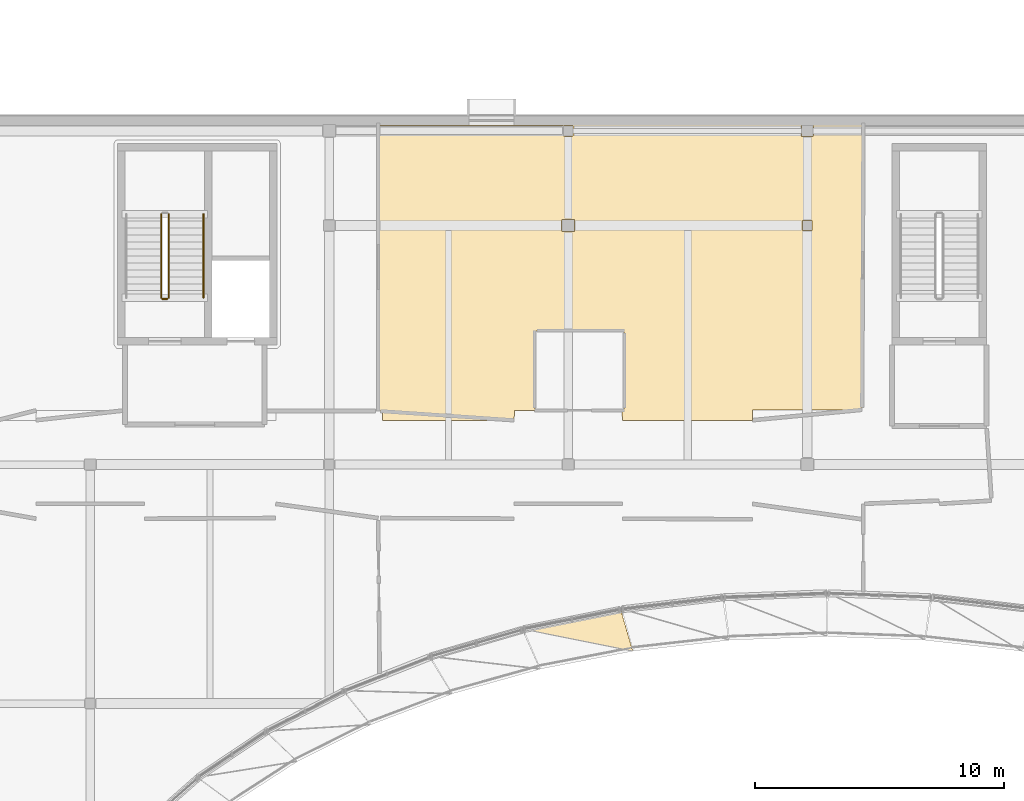
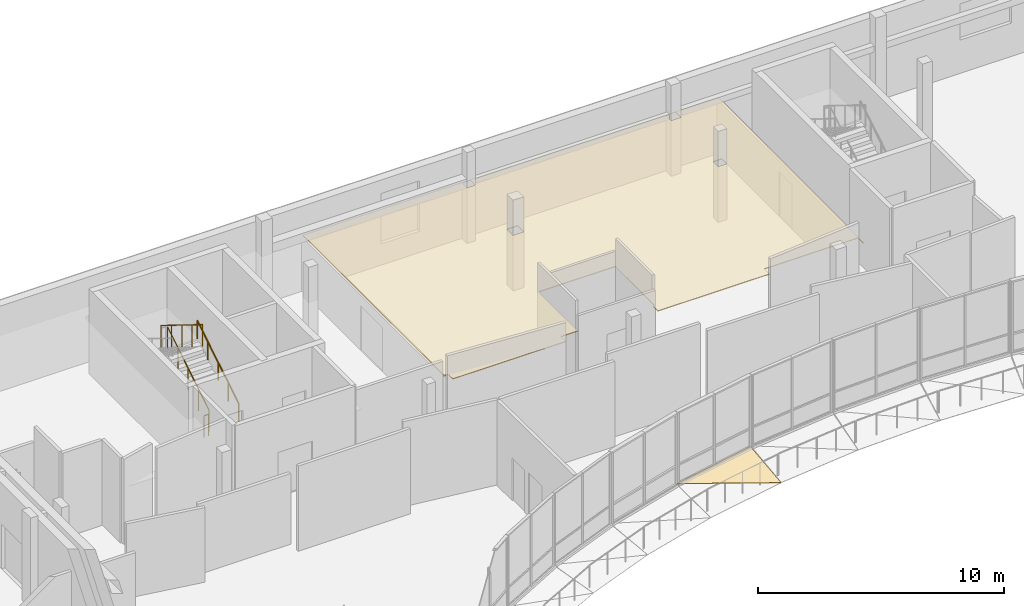
# One storey, part 34 of 41: 4 railings, 2 coverings.
"""IFC4 building model written with IfcOpenShell, lengths in metres."""

from ifc_helpers import new_model, si_unit, direction, frame, origin, origin_2d, place, context, subcontext, project, spatial, polyline, circle, outline, extrude, material, layer, layer_set, type_object, element, save


model = new_model("IFC4")

# Units and contexts
model_context = context("Model", 3, precision=1e-05, world=origin(), true_north=direction((0.0, 1.0)))
body_context = subcontext(model_context, "Body", "Model", "MODEL_VIEW")
ifc_project = project(units=[si_unit("LENGTHUNIT", "METRE"), si_unit("AREAUNIT", "SQUARE_METRE"), si_unit("VOLUMEUNIT", "CUBIC_METRE"), si_unit("PLANEANGLEUNIT", "RADIAN"), si_unit("MASSUNIT", "GRAM", prefix="KILO")], contexts=[model_context])

# Site, building, storey
site_placement = place(None, origin())
site = spatial("IfcSite", under=ifc_project, at=site_placement, CompositionType="ELEMENT")
building_placement = place(site_placement, origin())
building = spatial("IfcBuilding", under=site, at=building_placement, Name="Mzevani Central Library", CompositionType="ELEMENT")
storey_placement = place(building_placement, frame((0.0, 0.0, 13.800048828125)))
storey = spatial("IfcBuildingStorey", under=building, at=storey_placement, Name="L03", CompositionType="ELEMENT", Elevation=13.800048828125)

# Railings
ifc_material_1 = material(Name="Brushed stainless steel rail", Category="steel")
railing_type_1 = type_object("IfcRailingType", Name="Interior Gallery and Stair Guard 1100", PredefinedType="BALUSTRADE", material=ifc_material_1)
railing_1_placement = place(storey_placement, frame((57.550048828125, 106.699951171875, 0.173095703125)))
element("IfcRailing", 1, at=railing_1_placement, inside=storey, type_object=railing_type_1, Name="L03 ST-05 stair guard 1", PredefinedType="BALUSTRADE", context=body_context, shape_type="SweptSolid", body=[
    extrude(circle(Radius=0.02392578125, at=origin_2d()), frame((0.0, 0.0, 1.076171875), z_axis=(0.0, 0.850623216509, 0.525775754039), x_axis=(-1.0, 0.0, 0.0)), (0.0, 0.0, 1.0), 3.9501953125),
    extrude(circle(Radius=0.02099609375, at=origin_2d()), origin(), (0.0, 0.0, 1.0), 1.052001953125),
    extrude(circle(Radius=0.02099609375, at=origin_2d()), frame((0.0, 0.840087890625, 0.519287109375)), (0.0, 0.0, 1.0), 1.052001953125),
    extrude(circle(Radius=0.02099609375, at=origin_2d()), frame((0.0, 1.68017578125, 1.03857421875)), (0.0, 0.0, 1.0), 1.052001953125),
    extrude(circle(Radius=0.02099609375, at=origin_2d()), frame((0.0, 2.52001953125, 1.5576171875)), (0.0, 0.0, 1.0), 1.052001953125),
    extrude(circle(Radius=0.02099609375, at=origin_2d()), frame((0.0, 3.360107421875, 2.076904296875)), (0.0, 0.0, 1.0), 1.052001953125),
])
railing_2_placement = place(storey_placement, frame((57.25, 110.06005859375, 2.423095703125)))
element("IfcRailing", 2, at=railing_2_placement, inside=storey, type_object=railing_type_1, Name="L03 ST-05 stair guard 3", PredefinedType="BALUSTRADE", context=body_context, shape_type="SweptSolid", body=[
    extrude(circle(Radius=0.02392578125, at=origin_2d()), frame((0.0, 0.0, 1.076171875), z_axis=(0.0, -0.850623216509, 0.525775754039), x_axis=(1.0, 0.0, 0.0)), (0.0, 0.0, 1.0), 3.9501953125),
    extrude(circle(Radius=0.02099609375, at=origin_2d()), origin(), (0.0, 0.0, 1.0), 1.052001953125),
    extrude(circle(Radius=0.02099609375, at=origin_2d()), frame((0.0, -0.840087890625, 0.519287109375)), (0.0, 0.0, 1.0), 1.052001953125),
    extrude(circle(Radius=0.02099609375, at=origin_2d()), frame((0.0, -1.68017578125, 1.03857421875)), (0.0, 0.0, 1.0), 1.052001953125),
    extrude(circle(Radius=0.02099609375, at=origin_2d()), frame((0.0, -2.52001953125, 1.5576171875)), (0.0, 0.0, 1.0), 1.052001953125),
    extrude(circle(Radius=0.02099609375, at=origin_2d()), frame((0.0, -3.360107421875, 2.076904296875)), (0.0, 0.0, 1.0), 1.052001953125),
])
railing_3_placement = place(storey_placement, frame((57.5, 106.64990234375, 0.0)))
element("IfcRailing", 3, at=railing_3_placement, inside=storey, type_object=railing_type_1, Name="L03 ST-05 stair guard 4", PredefinedType="BALUSTRADE", context=body_context, shape_type="SweptSolid", body=[
    extrude(circle(Radius=0.02392578125, at=origin_2d()), frame((0.0, 0.0, 1.076171875), z_axis=(-1.0, 0.0, 0.0), x_axis=(0.0, -1.0, 0.0)), (0.0, 0.0, 1.0), 0.199951171875),
    extrude(circle(Radius=0.02099609375, at=origin_2d()), origin(), (0.0, 0.0, 1.0), 1.052001953125),
    extrude(circle(Radius=0.02099609375, at=origin_2d()), frame((-0.199951171875, 0.0, 0.0)), (0.0, 0.0, 1.0), 1.052001953125),
])

# Coverings
ifc_material_2 = material(Name="Limestone ashlar cladding", Category="masonry")
ifc_layer_1 = layer(ifc_material_2, 0.050048828125, Name="Limestone Ashlar Spandrel Cladding")
ifc_layer_set_1 = layer_set([ifc_layer_1], Name="Limestone ashlar cladding")
covering_type_1 = type_object("IfcCoveringType", Name="Limestone Ashlar Spandrel Cladding", PredefinedType="CLADDING", material=ifc_layer_set_1)
covering_1_placement = place(storey_placement, frame((76.1943359375, 92.501220703125, -0.280029296875), z_axis=(0.095196510806, -0.476041940502, 0.874254937197), x_axis=(-0.958762661974, 0.192412170469, 0.209169105414)))
element("IfcCovering", 4, at=covering_1_placement, inside=storey, type_object=covering_type_1, Name="L03 Curved Court Spandrel Apron 15B", PredefinedType="CLADDING", context=body_context, shape_type="SweptSolid", body=[
    extrude(outline(polyline([(0.0, 0.0), (4.589401171834455, 1.1102230246251565e-16), (0.9873480521456331, -1.7198084496457358), (0.0, 0.0)])), origin(), (0.0, 0.0, -1.0), 0.06005859375),
])
ifc_material_3 = material(Name="Mineral wool acoustic ceiling")
ifc_layer_2 = layer(ifc_material_3, 0.0400390625, Name="Perforated Timber Acoustic Ceiling")
ifc_layer_set_2 = layer_set([ifc_layer_2], Name="Mineral wool acoustic ceiling")
covering_type_2 = type_object("IfcCoveringType", Name="Perforated Timber Acoustic Ceiling", PredefinedType="CEILING", material=ifc_layer_set_2)
covering_2_placement = place(storey_placement, frame((0.0, 0.0, 2.72998046875)))
element("IfcCovering", 5, at=covering_2_placement, inside=storey, type_object=covering_type_2, Name="L03 Visiting Scholars Seminar Room Acoustic Ceiling", PredefinedType="CEILING", context=body_context, shape_type="SweptSolid", body=[
    extrude(outline(polyline([(85.405517578125, 101.771728515625), (85.389892578125, 102.18994140625), (81.010009765625, 102.18994140625), (81.0009765625, 101.77001953125), (75.771240234375, 101.770751953125), (75.76513671875, 102.177001953125), (75.840087890625, 102.18505859375), (75.840087890625, 105.364990234375), (72.260009765625, 105.364990234375), (72.259765625, 102.173095703125), (71.43505859375, 102.1650390625), (71.4287109375, 101.770751953125), (66.144287109375, 101.771728515625), (66.139892578125, 102.139892578125), (65.955078125, 102.14990234375), (65.956787109375, 113.62548828125), (85.45556640625, 113.62841796875), (85.405517578125, 101.771728515625)]), holes=[polyline([(73.85009765625, 109.35009765625), (73.85009765625, 109.85009765625), (73.35009765625, 109.85009765625), (73.35009765625, 109.35009765625), (73.85009765625, 109.35009765625)]), polyline([(73.39990234375, 113.199951171875), (73.800048828125, 113.199951171875), (73.800048828125, 113.60009765625), (73.39990234375, 113.60009765625), (73.39990234375, 113.199951171875)]), polyline([(83.0, 109.800048828125), (83.0, 109.39990234375), (83.39990234375, 109.39990234375), (83.39990234375, 109.800048828125), (83.0, 109.800048828125)]), polyline([(83.425048828125, 113.625), (82.97509765625, 113.625), (82.97509765625, 113.175048828125), (83.425048828125, 113.175048828125), (83.425048828125, 113.625)])]), origin(), (0.0, 0.0, 1.0), 0.0400390625),
])

# Railing
railing_type_2 = type_object("IfcRailingType", Name="Stair Wall Handrail 920", PredefinedType="HANDRAIL", material=ifc_material_1)
railing_4_placement = place(storey_placement, frame((58.949951171875, 106.699951171875, 0.173095703125)))
element("IfcRailing", 6, at=railing_4_placement, inside=storey, type_object=railing_type_2, Name="L03 ST-05 stair handrail 1", PredefinedType="HANDRAIL", context=body_context, shape_type="SweptSolid", body=[
    extrude(circle(Radius=0.02392578125, at=origin_2d()), frame((0.0, 0.0, 0.89599609375), z_axis=(0.0, 0.850623216509, 0.525775754039), x_axis=(-1.0, 0.0, 0.0)), (0.0, 0.0, 1.0), 3.9501953125),
    extrude(circle(Radius=0.02099609375, at=origin_2d()), origin(), (0.0, 0.0, 1.0), 0.871826171875),
    extrude(circle(Radius=0.02099609375, at=origin_2d()), frame((0.0, 0.840087890625, 0.519287109375)), (0.0, 0.0, 1.0), 0.871826171875),
    extrude(circle(Radius=0.02099609375, at=origin_2d()), frame((0.0, 1.68017578125, 1.03857421875)), (0.0, 0.0, 1.0), 0.871826171875),
    extrude(circle(Radius=0.02099609375, at=origin_2d()), frame((0.0, 2.52001953125, 1.5576171875)), (0.0, 0.0, 1.0), 0.871826171875),
    extrude(circle(Radius=0.02099609375, at=origin_2d()), frame((0.0, 3.360107421875, 2.076904296875)), (0.0, 0.0, 1.0), 0.871826171875),
])

save(model, "model.ifc")
